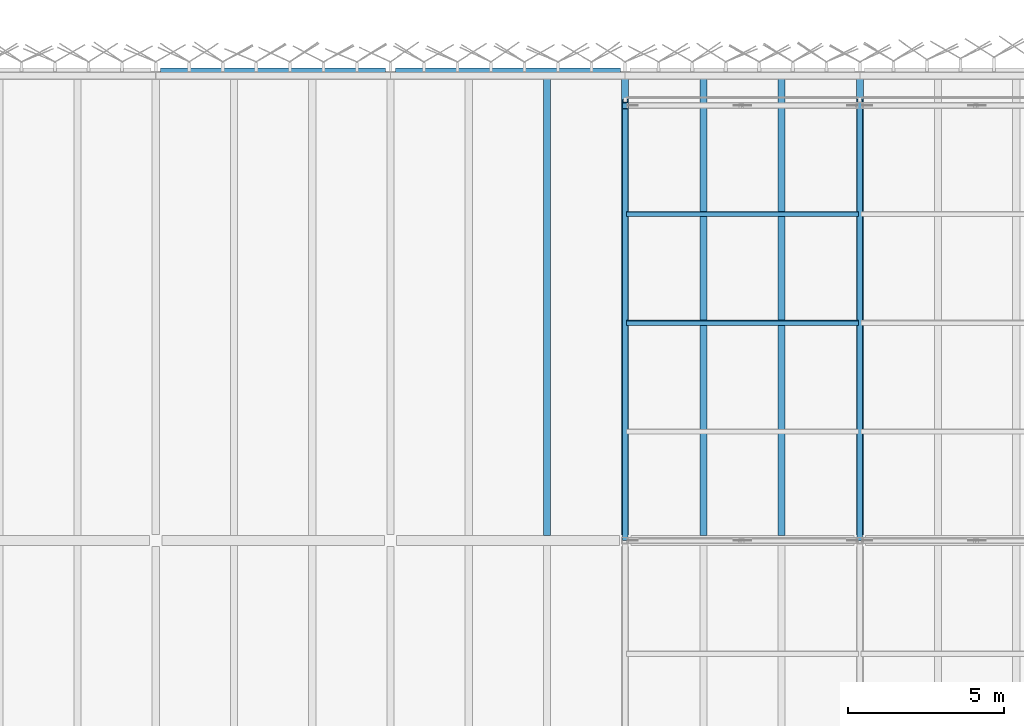
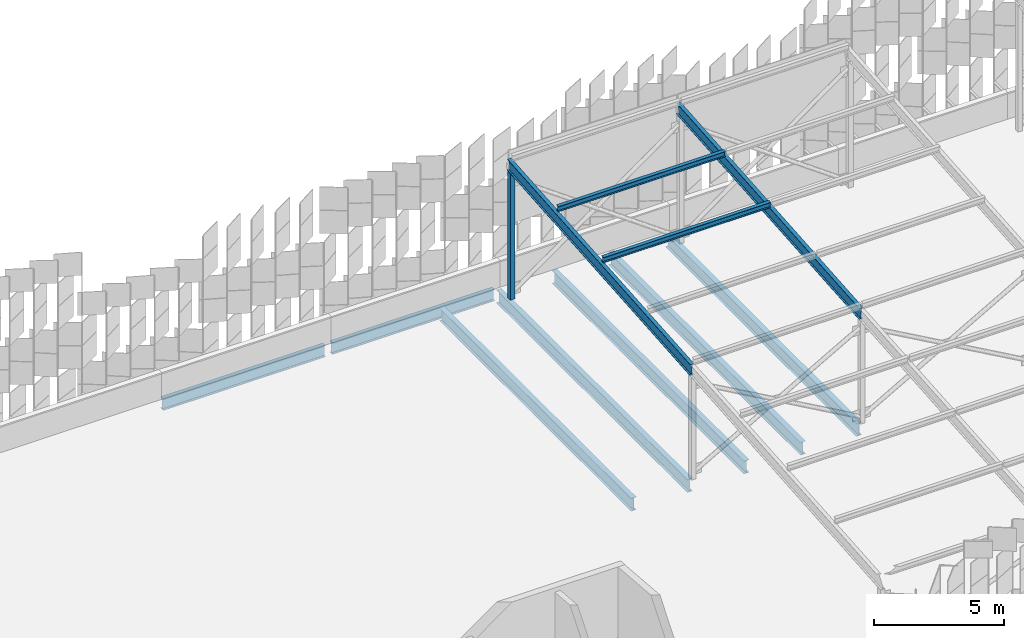
# One storey, part 101 of 483: 7 beams, 5 members.
"""IFC4 building model written with IfcOpenShell, lengths in metres."""

from ifc_helpers import new_model, si_unit, direction, frame, origin, origin_2d, place, context, subcontext, project, spatial, hollow_rectangle, i_section, extrude, material, material_profile, profile_set, type_object, element, save


model = new_model("IFC4")

# Units and contexts
model_context = context("Model", 3, precision=1e-05, world=origin(), true_north=direction((0.0, 1.0)))
body_context = subcontext(model_context, "Body", "Model", "MODEL_VIEW")
ifc_project = project(units=[si_unit("LENGTHUNIT", "METRE"), si_unit("AREAUNIT", "SQUARE_METRE"), si_unit("VOLUMEUNIT", "CUBIC_METRE"), si_unit("PLANEANGLEUNIT", "RADIAN"), si_unit("MASSUNIT", "GRAM", prefix="KILO")], contexts=[model_context])

# Site, building, storey
site_placement = place(None, origin())
site = spatial("IfcSite", under=ifc_project, at=site_placement, CompositionType="ELEMENT")
building_placement = place(site_placement, origin())
building = spatial("IfcBuilding", under=site, at=building_placement, Name="Parallax Yard Mobility Hub", CompositionType="ELEMENT")
storey_placement = place(building_placement, frame((0.0, 0.0, 13.199951171875)))
storey = spatial("IfcBuildingStorey", under=building, at=storey_placement, Name="L04", CompositionType="ELEMENT", Elevation=13.199951171875)

# Members
ifc_material_1 = material(Name="Steel ASTM A500 Gr C", Category="steel")
ifc_material_profile_1 = material_profile(ifc_material_1, hollow_rectangle(XDim=0.203125, YDim=0.203125, WallThickness=0.009521484375, at=origin_2d()), Name="HSS203x203x9.5")
ifc_profile_set_1 = profile_set([ifc_material_profile_1], Name="Steel ASTM A500 Gr C")
member_type_1 = type_object("IfcMemberType", Name="Canopy post HSS203x203x9.5", PredefinedType="POST", material=ifc_profile_set_1)
member_placement = place(storey_placement, frame((150.0, 141.39990234375, 0.0), z_axis=(0.0, 0.0, 1.0), x_axis=(1.0, 0.0, 0.0)))
element("IfcMember", 1, at=member_placement, inside=storey, type_object=member_type_1, Name="Canopy post RC/N-C1", PredefinedType="POST", context=body_context, shape_type="SweptSolid", body=[
    extrude(hollow_rectangle(XDim=0.203125, YDim=0.203125, WallThickness=0.009521484375, at=origin_2d()), origin(), (0.0, 0.0, 1.0), 5.922119140625),
])
ifc_material_2 = material(Name="Steel ASTM A992", Category="steel")
ifc_material_profile_2 = material_profile(ifc_material_2, i_section(OverallWidth=0.14794921875, OverallDepth=0.26611328125, WebThickness=0.007568359375, FlangeThickness=0.012939453125, at=origin_2d()), Name="W250x45")
ifc_profile_set_2 = profile_set([ifc_material_profile_2], Name="Steel ASTM A992")
member_type_2 = type_object("IfcMemberType", Name="Canopy purlin W250x45", PredefinedType="PURLIN", material=ifc_profile_set_2)
for number, where, z_axis, x_axis, name in (
    (2, (150.0400390625, 134.460693359375, 6.01806640625), (1.0, 0.0, 0.0), (0.0, 0.996815308126, 0.079744852409), "Canopy purlin sector N-C bay 1 line 7"),
    (3, (150.0400390625, 137.935546875, 6.296142578125), (1.0, 0.0, 0.0), (0.0, 0.996815308126, 0.079744852409), "Canopy purlin sector N-C bay 1 line 8"),
):
    element("IfcMember", number, at=place(storey_placement, frame(where, z_axis=z_axis, x_axis=x_axis)), inside=storey, type_object=member_type_2, Name=name, PredefinedType="PURLIN", context=body_context, shape_type="SweptSolid", body=[
        extrude(i_section(OverallWidth=0.14794921875, OverallDepth=0.26611328125, WebThickness=0.007568359375, FlangeThickness=0.012939453125, at=origin_2d()), origin(), (0.0, 0.0, 1.0), 7.419921875),
    ])
ifc_material_profile_3 = material_profile(ifc_material_2, i_section(OverallWidth=0.166015625, OverallDepth=0.529052734375, WebThickness=0.009765625, FlangeThickness=0.013671875, at=origin_2d()), Name="W530x74")
ifc_profile_set_3 = profile_set([ifc_material_profile_3], Name="Steel ASTM A992")
member_type_3 = type_object("IfcMemberType", Name="Canopy rafter W530x74", PredefinedType="RAFTER", material=ifc_profile_set_3)
for number, where, z_axis, x_axis, name in (
    (4, (150.0, 127.52099609375, 5.067138671875), (0.0, 0.996815168385, 0.079746599163), (-1.0, 0.0, 0.0), "Canopy rafter N-C1 outer span"),
    (5, (157.5, 127.52099609375, 5.067138671875), (0.0, 0.996815168385, 0.079746599163), (-1.0, 0.0, 0.0), "Canopy rafter N-C2 outer span"),
):
    element("IfcMember", number, at=place(storey_placement, frame(where, z_axis=z_axis, x_axis=x_axis)), inside=storey, type_object=member_type_3, Name=name, PredefinedType="RAFTER", context=body_context, shape_type="SweptSolid", body=[
        extrude(i_section(OverallWidth=0.166015625, OverallDepth=0.529052734375, WebThickness=0.009765625, FlangeThickness=0.013671875, at=origin_2d()), origin(), (0.0, 0.0, 1.0), 14.094970703125),
    ])

# Beams
ifc_material_profile_4 = material_profile(ifc_material_2, i_section(OverallWidth=0.208984375, OverallDepth=0.532958984375, WebThickness=0.01025390625, FlangeThickness=0.015625, FilletRadius=0.0126953125, at=origin_2d()), Name="W530x92")
ifc_profile_set_4 = profile_set([ifc_material_profile_4], Name="Steel ASTM A992")
beam_type_1 = type_object("IfcBeamType", Name="W530x92 edge beam", PredefinedType="SPANDREL", material=ifc_profile_set_4)
for number, where, z_axis, x_axis, name in (
    (6, (135.152587890625, 142.5, -0.406494140625), (1.0, 0.0, 0.0), (0.0, 1.0, 0.0), "Edge beam SB5 level L04, line V of ramped parking decks, span 15"),
    (7, (142.652587890625, 142.5, -0.406494140625), (1.0, 0.0, 0.0), (0.0, 1.0, 0.0), "Edge beam SB5 level L04, line V of ramped parking decks, span 16"),
):
    element("IfcBeam", number, at=place(storey_placement, frame(where, z_axis=z_axis, x_axis=x_axis)), inside=storey, type_object=beam_type_1, Name=name, PredefinedType="SPANDREL", context=body_context, shape_type="SweptSolid", body=[
        extrude(i_section(OverallWidth=0.208984375, OverallDepth=0.532958984375, WebThickness=0.01025390625, FlangeThickness=0.015625, FilletRadius=0.0126953125, at=origin_2d()), origin(), (0.0, 0.0, 1.0), 7.19482421875),
    ])
ifc_material_profile_5 = material_profile(ifc_material_2, i_section(OverallWidth=0.22802734375, OverallDepth=0.60205078125, WebThickness=0.010498046875, FlangeThickness=0.014892578125, FilletRadius=0.0126953125, at=origin_2d()), Name="W610x101")
ifc_profile_set_5 = profile_set([ifc_material_profile_5], Name="Steel ASTM A992")
beam_type_2 = type_object("IfcBeamType", Name="W610x101 secondary beam", PredefinedType="JOIST", material=ifc_profile_set_5)
for number, where, z_axis, x_axis, name in (
    (8, (152.5, 127.66259765625, -0.44091796875), (0.0, 1.0, 0.0), (-1.0, 0.0, 0.0), "Secondary beam B3 level L04, 2.5 m east of line 21 of ramped parking decks, span 2"),
    (9, (147.5, 127.66259765625, -0.44091796875), (0.0, 1.0, 0.0), (-1.0, 0.0, 0.0), "Secondary beam B3 level L04, 5 m east of line 20 of ramped parking decks, span 2"),
    (10, (155.0, 127.66259765625, -0.44091796875), (0.0, 1.0, 0.0), (-1.0, 0.0, 0.0), "Secondary beam B3 level L04, 5 m east of line 21 of ramped parking decks, span 2"),
):
    element("IfcBeam", number, at=place(storey_placement, frame(where, z_axis=z_axis, x_axis=x_axis)), inside=storey, type_object=beam_type_2, Name=name, PredefinedType="JOIST", context=body_context, shape_type="SweptSolid", body=[
        extrude(i_section(OverallWidth=0.22802734375, OverallDepth=0.60205078125, WebThickness=0.010498046875, FlangeThickness=0.014892578125, FilletRadius=0.0126953125, at=origin_2d()), origin(), (0.0, 0.0, 1.0), 14.73291015625),
    ])
ifc_material_profile_6 = material_profile(ifc_material_2, i_section(OverallWidth=0.22900390625, OverallDepth=0.612060546875, WebThickness=0.011962890625, FlangeThickness=0.01953125, FilletRadius=0.0126953125, at=origin_2d()), Name="W610x125")
ifc_profile_set_6 = profile_set([ifc_material_profile_6], Name="Steel ASTM A992")
beam_type_3 = type_object("IfcBeamType", Name="W610x125 girder", PredefinedType="BEAM", material=ifc_profile_set_6)
for number, where, z_axis, x_axis, name in (
    (11, (150.0, 127.68408203125, -0.446044921875), (0.0, 1.0, 0.0), (-1.0, 0.0, 0.0), "Girder G3 level L04, line 21 of ramped parking decks, span 2"),
    (12, (157.5, 127.68408203125, -0.446044921875), (0.0, 1.0, 0.0), (-1.0, 0.0, 0.0), "Girder G3 level L04, line 22 of ramped parking decks, span 2"),
):
    element("IfcBeam", number, at=place(storey_placement, frame(where, z_axis=z_axis, x_axis=x_axis)), inside=storey, type_object=beam_type_3, Name=name, PredefinedType="BEAM", context=body_context, shape_type="SweptSolid", body=[
        extrude(i_section(OverallWidth=0.22900390625, OverallDepth=0.612060546875, WebThickness=0.011962890625, FlangeThickness=0.01953125, FilletRadius=0.0126953125, at=origin_2d()), origin(), (0.0, 0.0, 1.0), 14.662353515625),
    ])

save(model, "model.ifc")
